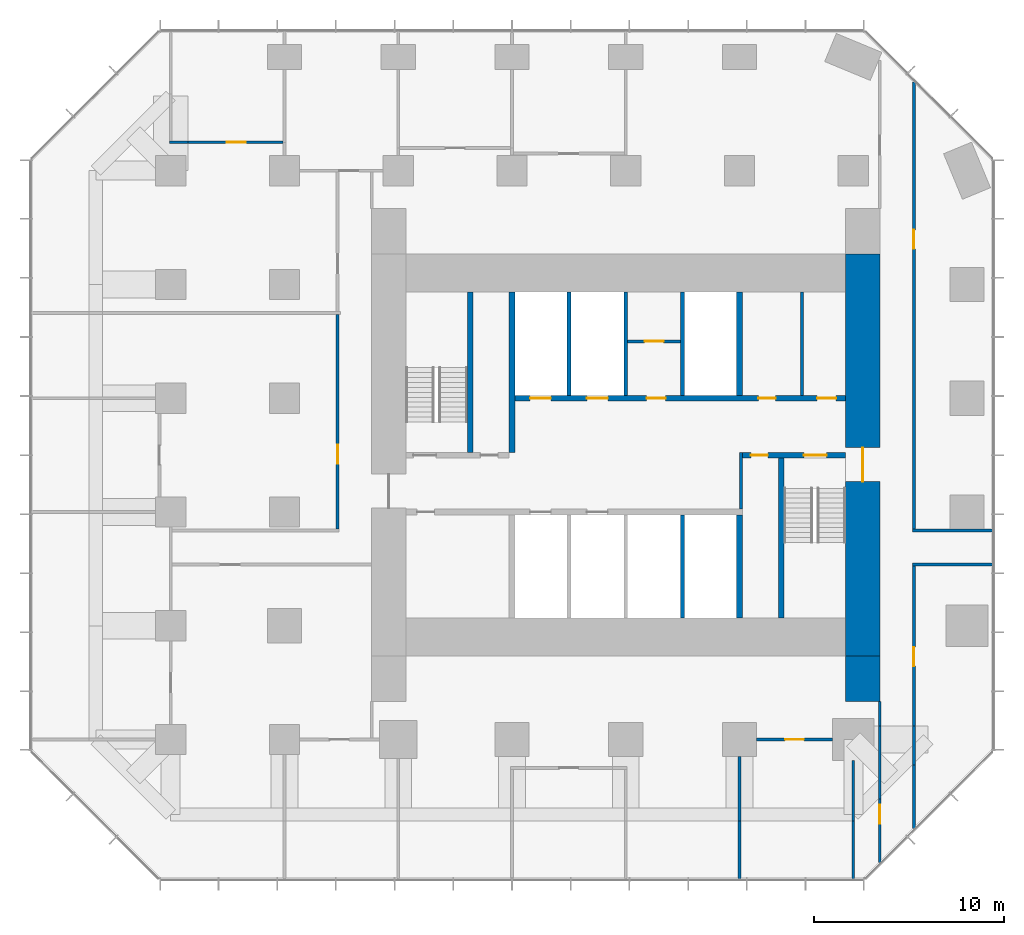
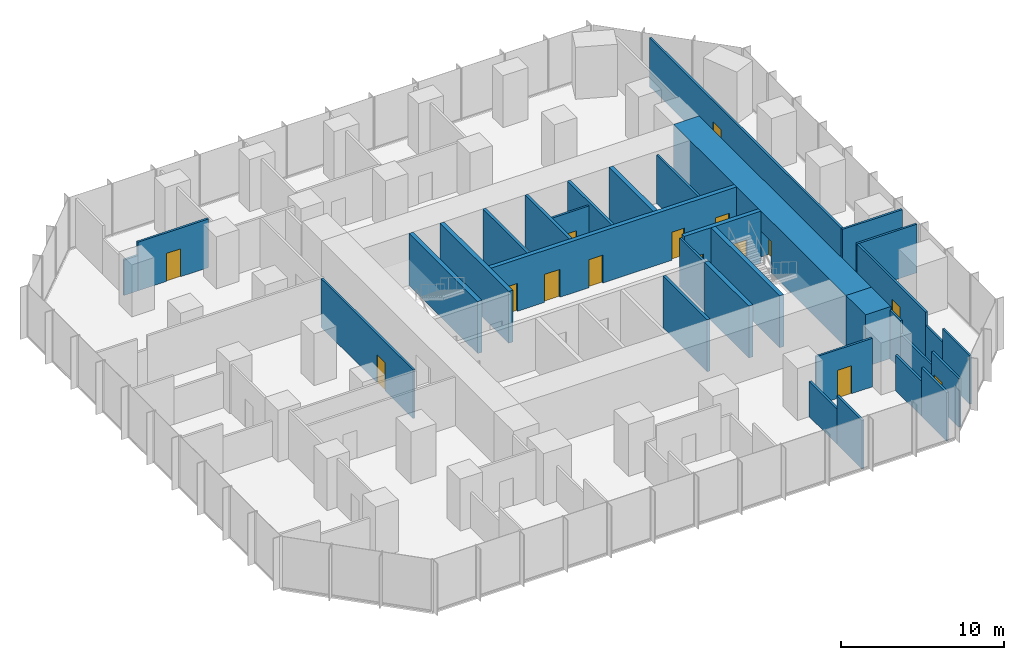
# One storey, part 9 of 11: 33 walls, 15 doors, 15 openings.
"""IFC4 building model written with IfcOpenShell, lengths in metres."""

import ifcopenshell
import ifcopenshell.guid

model = None  # the IFC model being written
_history = None  # IfcOwnerHistory: only IFC2X3 demands one
_inside = {}  # id of a spatial element -> (the spatial element, [elements in it])
_under = {}  # id of a project, library or spatial element -> (it, [spatial elements below it])
_declared = {}  # id of a project -> (the project, [libraries it declares])
_typed = {}  # id of a type object -> (the type object, [elements of that type])
_made_of = {}  # id of a material, layer set ... -> (it, [elements and type objects made of it])


def new_model(schema):
    """Start an empty IFC model of exactly this schema.

    Asked for "IFC4X3", IfcOpenShell would pick the latest addendum, in which some entities
    have other attributes; the version numbers below select the first issue.
    IFC2X3 requires an IfcOwnerHistory on every rooted entity: one is made here for all.
    """
    global model, _history
    if schema == "IFC4X3":
        model = ifcopenshell.file(schema_version=(4, 3, 0, 0))
    else:
        model = ifcopenshell.file(schema=schema)
    _inside.clear()
    _under.clear()
    _declared.clear()
    _typed.clear()
    _made_of.clear()
    _history = None
    if model.schema == "IFC2X3":
        org = make("IfcOrganization", Name="unknown")
        user = make(
            "IfcPersonAndOrganization",
            ThePerson=make("IfcPerson", FamilyName="unknown"),
            TheOrganization=org,
        )
        app = make(
            "IfcApplication",
            ApplicationDeveloper=org,
            Version="unknown",
            ApplicationFullName="unknown",
            ApplicationIdentifier="unknown",
        )
        _history = make(
            "IfcOwnerHistory",
            OwningUser=user,
            OwningApplication=app,
            ChangeAction="ADDED",
            CreationDate=0,
        )
    return model


def make(cls, **values):
    """One entity of the class cls with the attributes given. An attribute that is None is left unset."""
    return model.create_entity(
        cls, **{name: value for name, value in values.items() if value is not None}
    )


def rooted(cls, **values):
    """An entity with a GlobalId (a new one), such as an element, a storey or a relation."""
    return make(cls, GlobalId=ifcopenshell.guid.new(), OwnerHistory=_history, **values)


def si_unit(unit_type, name, prefix=None):
    """IfcSIUnit, for example si_unit("LENGTHUNIT", "METRE", prefix="MILLI")."""
    return make("IfcSIUnit", UnitType=unit_type, Prefix=prefix, Name=name)


def assignment(units):
    """IfcUnitAssignment: the units of a project."""
    return None if units is None else make("IfcUnitAssignment", Units=units)


def point(xyz):
    """IfcCartesianPoint."""
    return None if xyz is None else make("IfcCartesianPoint", Coordinates=xyz)


def direction(xyz):
    """IfcDirection."""
    return None if xyz is None else make("IfcDirection", DirectionRatios=xyz)


def frame(location, z_axis=None, x_axis=None):
    """IfcAxis2Placement3D, a coordinate frame: its origin and axes. An axis left out is left unset."""
    return make(
        "IfcAxis2Placement3D",
        Location=point(location),
        Axis=direction(z_axis),
        RefDirection=direction(x_axis),
    )


def frame_2d(location, x_axis=None):
    """IfcAxis2Placement2D, a coordinate frame in the plane: its origin and x axis."""
    return make(
        "IfcAxis2Placement2D", Location=point(location), RefDirection=direction(x_axis)
    )


def origin():
    """The frame at (0, 0, 0) with its axes left unset."""
    return frame((0.0, 0.0, 0.0))


def place(relative_to, where):
    """IfcLocalPlacement: puts the frame where relative to a parent placement (None: the world)."""
    return make(
        "IfcLocalPlacement", PlacementRelTo=relative_to, RelativePlacement=where
    )


def context(
    kind, dimensions, precision=None, world=None, true_north=None, identifier=None
):
    """IfcGeometricRepresentationContext, for example the 3D "Model" context."""
    return make(
        "IfcGeometricRepresentationContext",
        ContextIdentifier=identifier,
        ContextType=kind,
        CoordinateSpaceDimension=dimensions,
        Precision=precision,
        WorldCoordinateSystem=world,
        TrueNorth=true_north,
    )


def subcontext(parent, identifier, kind, view, scale=None):
    """IfcGeometricRepresentationSubContext, for example "Body" below "Model"."""
    return make(
        "IfcGeometricRepresentationSubContext",
        ContextIdentifier=identifier,
        ContextType=kind,
        ParentContext=parent,
        TargetScale=scale,
        TargetView=view,
    )


def project(units=None, contexts=None):
    """IfcProject with its units and contexts."""
    return rooted(
        "IfcProject",
        Name="project",
        RepresentationContexts=contexts,
        UnitsInContext=assignment(units),
    )


def spatial(cls, under=None, at=None, **own):
    """A site, building, storey or space (cls), placed at a placement, below another one or the project."""
    s = rooted(cls, ObjectPlacement=at, **own)
    if under is not None:
        _under.setdefault(under.id(), (under, []))[1].append(s)
    return s


def profile(cls, at=None, kind="AREA", **sizes):
    """A parametric profile (cls). Its sizes go by their IFC names, for example OverallWidth=200.0."""
    return make(cls, ProfileType=kind, Position=at, **sizes)


def rectangle(**sizes):
    """IfcRectangleProfileDef."""
    return profile("IfcRectangleProfileDef", **sizes)


def extrude(swept, where, along, depth):
    """IfcExtrudedAreaSolid: the profile swept, set in the frame where, extruded along a direction by depth."""
    return make(
        "IfcExtrudedAreaSolid",
        SweptArea=swept,
        Position=where,
        ExtrudedDirection=direction(along),
        Depth=depth,
    )


def shape(context_of_items, identifier, shape_type, items):
    """IfcShapeRepresentation: the items that make up one representation, for example the "Body"."""
    return make(
        "IfcShapeRepresentation",
        ContextOfItems=context_of_items,
        RepresentationIdentifier=identifier,
        RepresentationType=shape_type,
        Items=items,
    )


def material(Name=None, Category=None):
    """IfcMaterial."""
    return make("IfcMaterial", Name=Name, Category=Category)


def layer(
    of_material, thickness, ventilated=None, Name=None, Category=None, Priority=None
):
    """IfcMaterialLayer: one layer of a wall or slab, of a material (None: an air gap)."""
    return make(
        "IfcMaterialLayer",
        Material=of_material,
        LayerThickness=thickness,
        IsVentilated=ventilated,
        Name=Name,
        Category=Category,
        Priority=Priority,
    )


def layer_set(layers, Name=None):
    """IfcMaterialLayerSet."""
    return make("IfcMaterialLayerSet", MaterialLayers=layers, LayerSetName=Name)


def made_of(thing, what):
    """Note that an element or type object is made of a material, layer set ...; save() writes the relation."""
    if what is not None:
        _made_of.setdefault(what.id(), (what, []))[1].append(thing)
    return thing


def type_object(cls, material=None, **own):
    """A type object (cls), such as IfcWallType, which elements share."""
    return made_of(rooted(cls, **own), material)


def element(
    cls,
    number,
    at=None,
    inside=None,
    cuts=None,
    type_object=None,
    material=None,
    context=None,
    identifier="Body",
    shape_type=None,
    held_by="IfcProductDefinitionShape",
    body=None,
    shapes=None,
    **own,
):
    """One element of the class cls, such as IfcWall. Its Tag is "e" and its number.

    at: its placement. inside: the storey or other place that contains it. cuts: it is an
    opening in that element (IfcRelVoidsElement). A single representation is given by context,
    identifier, shape_type and body (its items); several are given by shapes. held_by: the class
    of the entity that holds the representations. save() writes the other relations.
    """
    e = rooted(cls, Tag="e%d" % number, ObjectPlacement=at, **own)
    if body is not None:
        shapes = [shape(context, identifier, shape_type, body)]
    if shapes is not None:
        e.Representation = make(held_by, Representations=shapes)
    if inside is not None:
        _inside.setdefault(inside.id(), (inside, []))[1].append(e)
    if cuts is not None:
        rooted(
            "IfcRelVoidsElement", RelatingBuildingElement=cuts, RelatedOpeningElement=e
        )
    if type_object is not None:
        _typed.setdefault(type_object.id(), (type_object, []))[1].append(e)
    return made_of(e, material)


def fill(opening, filler):
    """IfcRelFillsElement: the door or window that sits in an opening."""
    return rooted(
        "IfcRelFillsElement",
        RelatingOpeningElement=opening,
        RelatedBuildingElement=filler,
    )


def aggregate(whole, parts):
    """IfcRelAggregates: a whole, such as a stair, and the parts it consists of."""
    return rooted("IfcRelAggregates", RelatingObject=whole, RelatedObjects=parts)


def save(model, path):
    """Write the relations noted so far, then the file.

    IfcRelAggregates (storeys below a building ...), IfcRelContainedInSpatialStructure (elements
    in a storey), IfcRelDefinesByType, IfcRelAssociatesMaterial and IfcRelDeclares: one each for
    every whole, place, type object, material and project.
    """
    for whole, parts in _under.values():
        aggregate(whole, parts)
    for where, things in _inside.values():
        rooted(
            "IfcRelContainedInSpatialStructure",
            RelatedElements=things,
            RelatingStructure=where,
        )
    for kind, things in _typed.values():
        rooted("IfcRelDefinesByType", RelatedObjects=things, RelatingType=kind)
    for what, things in _made_of.values():
        rooted("IfcRelAssociatesMaterial", RelatedObjects=things, RelatingMaterial=what)
    for by, libraries in _declared.values():
        rooted("IfcRelDeclares", RelatingContext=by, RelatedDefinitions=libraries)
    model.write(path)


model = new_model("IFC4")

# Units and contexts
model_context = context("Model", 3, precision=1e-05, world=origin(), true_north=direction((0.0, 1.0)))
body_context = subcontext(model_context, "Body", "Model", "MODEL_VIEW")
ifc_project = project(units=[si_unit("LENGTHUNIT", "METRE"), si_unit("AREAUNIT", "SQUARE_METRE"), si_unit("VOLUMEUNIT", "CUBIC_METRE"), si_unit("PLANEANGLEUNIT", "RADIAN"), si_unit("MASSUNIT", "GRAM", prefix="KILO")], contexts=[model_context])

# Site, building, storey
site_placement = place(None, origin())
site = spatial("IfcSite", under=ifc_project, at=site_placement, CompositionType="ELEMENT")
building_placement = place(site_placement, origin())
building = spatial("IfcBuilding", under=site, at=building_placement, Name="Highveld Stack Headquarters", CompositionType="ELEMENT")
storey_placement = place(building_placement, frame((0.0, 0.0, 128.89990234375)))
storey = spatial("IfcBuildingStorey", under=building, at=storey_placement, Name="L31", CompositionType="ELEMENT", Elevation=128.89990234375)

# Wall, opening, door
ifc_material_1 = material(Name="Concrete C60/75", Category="concrete")
ifc_layer_1 = layer(ifc_material_1, 1.800048828125)
ifc_layer_set_1 = layer_set([ifc_layer_1], Name="Concrete C60/75")
wall_type_1 = type_object("IfcWallType", Name="CORE WALL 1800 C60/75", PredefinedType="SHEAR", material=ifc_layer_set_1)
wall_1_placement = place(storey_placement, frame((18.5, -7.60009765625, 0.0), z_axis=(0.0, 0.0, 1.0), x_axis=(0.0, 1.0, 0.0)))
wall_1 = element("IfcWall", 1, at=wall_1_placement, inside=storey, type_object=wall_type_1, Name="Core wall E L31", PredefinedType="SHEAR", context=body_context, shape_type="SweptSolid", body=[
    extrude(rectangle(XDim=21.2001953125, YDim=1.800048828125, at=frame_2d((10.60009765625, 0.0))), origin(), (0.0, 0.0, 1.0), 3.900146484375),
])
opening_1_placement = place(wall_1_placement, frame((9.199951171875, 0.0, 0.0)))
opening_1 = element("IfcOpeningElement", 2, at=opening_1_placement, cuts=wall_1, Name="Opening L31-02", PredefinedType="OPENING", context=body_context, shape_type="SweptSolid", body=[
    extrude(rectangle(XDim=1.800048828125, YDim=2.39990234375, at=frame_2d((0.89990234375, 1.199951171875))), frame((0.0, 0.909912109375, 0.0), z_axis=(0.0, -1.0, 0.0), x_axis=(1.0, 0.0, 0.0)), (0.0, 0.0, 1.0), 1.820068359375),
])
ifc_material_2 = material(Name="Steel fire door", Category="steel")
door_type_1 = type_object("IfcDoorType", Name="LOBBY FIRE DOOR D4 1800x2400", OperationType="DOUBLE_DOOR_SINGLE_SWING", PredefinedType="DOOR", material=ifc_material_2)
door_1_placement = place(opening_1_placement, origin())
door_1 = element("IfcDoor", 3, at=door_1_placement, inside=storey, type_object=door_type_1, Name="Core east door L31", OperationType="DOUBLE_DOOR_SINGLE_SWING", OverallHeight=2.39990234375, OverallWidth=1.800048828125, PredefinedType="DOOR", context=body_context, shape_type="SweptSolid", body=[
    extrude(rectangle(XDim=1.800048828125, YDim=2.39990234375, at=frame_2d((0.89990234375, 1.199951171875))), frame((0.0, 0.02490234375, 0.0), z_axis=(0.0, -1.0, 0.0), x_axis=(1.0, 0.0, 0.0)), (0.0, 0.0, 1.0), 0.050048828125),
])
fill(opening_1, door_1)

# Wall, openings, doors
ifc_material_3 = material(Name="Concrete C60/75", Category="concrete")
ifc_layer_2 = layer(ifc_material_3, 0.300048828125)
ifc_layer_set_2 = layer_set([ifc_layer_2], Name="Concrete C60/75")
wall_type_2 = type_object("IfcWallType", Name="CORE WALL 300 C60/75", PredefinedType="SHEAR", material=ifc_layer_set_2)
wall_2_placement = place(storey_placement, frame((12.14990234375, 3.0, 0.0), z_axis=(0.0, 0.0, 1.0), x_axis=(1.0, 0.0, 0.0)))
wall_2 = element("IfcWall", 4, at=wall_2_placement, inside=storey, type_object=wall_type_2, Name="Core wall I-Y3E L31", PredefinedType="SHEAR", context=body_context, shape_type="SweptSolid", body=[
    extrude(rectangle(XDim=5.4501953125, YDim=0.300048828125, at=frame_2d((2.72509765625, 0.0))), origin(), (0.0, 0.0, 1.0), 3.900146484375),
])
opening_2_placement = place(wall_2_placement, frame((3.25, 0.0, 0.0)))
opening_2 = element("IfcOpeningElement", 5, at=opening_2_placement, cuts=wall_2, Name="Opening L31-05", PredefinedType="OPENING", context=body_context, shape_type="SweptSolid", body=[
    extrude(rectangle(XDim=1.199951171875, YDim=2.10009765625, at=frame_2d((0.60009765625, 1.050048828125))), frame((0.0, 0.159912109375, 0.0), z_axis=(0.0, -1.0, 0.0), x_axis=(1.0, 0.0, 0.0)), (0.0, 0.0, 1.0), 0.320068359375),
])
opening_3_placement = place(wall_2_placement, frame((0.449951171875, 0.0, 0.0)))
opening_3 = element("IfcOpeningElement", 6, at=opening_3_placement, cuts=wall_2, Name="Opening L31-06", PredefinedType="OPENING", context=body_context, shape_type="SweptSolid", body=[
    extrude(rectangle(XDim=0.89990234375, YDim=2.10009765625, at=frame_2d((0.449951171875, 1.050048828125))), frame((0.0, 0.159912109375, 0.0), z_axis=(0.0, -1.0, 0.0), x_axis=(1.0, 0.0, 0.0)), (0.0, 0.0, 1.0), 0.320068359375),
])
ifc_material_4 = material(Name="Steel fire door", Category="steel")
door_type_2 = type_object("IfcDoorType", Name="RISER ACCESS DOOR D5 900x2100", OperationType="SINGLE_SWING_LEFT", PredefinedType="DOOR", material=ifc_material_4)
door_2_placement = place(opening_3_placement, origin())
door_2 = element("IfcDoor", 7, at=door_2_placement, inside=storey, type_object=door_type_2, Name="Riser R2 door L31", OperationType="SINGLE_SWING_LEFT", OverallHeight=2.10009765625, OverallWidth=0.89990234375, PredefinedType="DOOR", context=body_context, shape_type="SweptSolid", body=[
    extrude(rectangle(XDim=0.89990234375, YDim=2.10009765625, at=frame_2d((0.449951171875, 1.050048828125))), frame((0.0, 0.02490234375, 0.0), z_axis=(0.0, -1.0, 0.0), x_axis=(1.0, 0.0, 0.0)), (0.0, 0.0, 1.0), 0.050048828125),
])
fill(opening_3, door_2)
ifc_material_5 = material(Name="Steel fire door", Category="steel")
door_type_3 = type_object("IfcDoorType", Name="STAIR FIRE DOOR D3 1200x2100", OperationType="SINGLE_SWING_LEFT", PredefinedType="DOOR", material=ifc_material_5)
door_3_placement = place(opening_2_placement, origin())
door_3 = element("IfcDoor", 8, at=door_3_placement, inside=storey, type_object=door_type_3, Name="Stair S2 door L31", OperationType="SINGLE_SWING_RIGHT", OverallHeight=2.10009765625, OverallWidth=1.199951171875, PredefinedType="DOOR", context=body_context, shape_type="SweptSolid", body=[
    extrude(rectangle(XDim=1.199951171875, YDim=2.10009765625, at=frame_2d((0.60009765625, 1.050048828125))), frame((0.0, 0.02490234375, 0.0), z_axis=(0.0, -1.0, 0.0), x_axis=(1.0, 0.0, 0.0)), (0.0, 0.0, 1.0), 0.050048828125),
])
fill(opening_2, door_3)

wall_3_placement = place(storey_placement, frame((-0.14990234375, 6.0, 0.0), z_axis=(0.0, 0.0, 1.0), x_axis=(1.0, 0.0, 0.0)))
wall_3 = element("IfcWall", 9, at=wall_3_placement, inside=storey, type_object=wall_type_2, Name="Core wall I-Y6 L31", PredefinedType="SHEAR", context=body_context, shape_type="SweptSolid", body=[
    extrude(rectangle(XDim=17.75, YDim=0.300048828125, at=frame_2d((8.875, 0.0))), origin(), (0.0, 0.0, 1.0), 3.900146484375),
])
opening_4_placement = place(wall_3_placement, frame((13.14990234375, 0.0, 0.0)))
opening_4 = element("IfcOpeningElement", 10, at=opening_4_placement, cuts=wall_3, Name="Opening L31-08", PredefinedType="OPENING", context=body_context, shape_type="SweptSolid", body=[
    extrude(rectangle(XDim=0.89990234375, YDim=2.10009765625, at=frame_2d((0.449951171875, 1.050048828125))), frame((0.0, 0.159912109375, 0.0), z_axis=(0.0, -1.0, 0.0), x_axis=(1.0, 0.0, 0.0)), (0.0, 0.0, 1.0), 0.320068359375),
])
opening_5_placement = place(wall_3_placement, frame((16.25, 0.0, 0.0)))
opening_5 = element("IfcOpeningElement", 11, at=opening_5_placement, cuts=wall_3, Name="Opening L31-09", PredefinedType="OPENING", context=body_context, shape_type="SweptSolid", body=[
    extrude(rectangle(XDim=1.0, YDim=2.10009765625, at=frame_2d((0.5, 1.050048828125))), frame((0.0, 0.159912109375, 0.0), z_axis=(0.0, -1.0, 0.0), x_axis=(1.0, 0.0, 0.0)), (0.0, 0.0, 1.0), 0.320068359375),
])
opening_6_placement = place(wall_3_placement, frame((7.25, 0.0, 0.0)))
opening_6 = element("IfcOpeningElement", 12, at=opening_6_placement, cuts=wall_3, Name="Opening L31-11", PredefinedType="OPENING", context=body_context, shape_type="SweptSolid", body=[
    extrude(rectangle(XDim=1.0, YDim=2.10009765625, at=frame_2d((0.5, 1.050048828125))), frame((0.0, 0.159912109375, 0.0), z_axis=(0.0, -1.0, 0.0), x_axis=(1.0, 0.0, 0.0)), (0.0, 0.0, 1.0), 0.320068359375),
])
opening_7_placement = place(wall_3_placement, frame((1.10009765625, 0.0, 0.0)))
opening_7 = element("IfcOpeningElement", 13, at=opening_7_placement, cuts=wall_3, Name="Opening LD", PredefinedType="OPENING", context=body_context, shape_type="SweptSolid", body=[
    extrude(rectangle(XDim=1.10009765625, YDim=2.10009765625, at=frame_2d((0.550048828125, 1.050048828125))), frame((0.0, 0.159912109375, 0.0), z_axis=(0.0, -1.0, 0.0), x_axis=(1.0, 0.0, 0.0)), (0.0, 0.0, 1.0), 0.320068359375),
])
opening_8_placement = place(wall_3_placement, frame((4.10009765625, 0.0, 0.0)))
opening_8 = element("IfcOpeningElement", 14, at=opening_8_placement, cuts=wall_3, Name="Opening LD", PredefinedType="OPENING", context=body_context, shape_type="SweptSolid", body=[
    extrude(rectangle(XDim=1.10009765625, YDim=2.10009765625, at=frame_2d((0.550048828125, 1.050048828125))), frame((0.0, 0.159912109375, 0.0), z_axis=(0.0, -1.0, 0.0), x_axis=(1.0, 0.0, 0.0)), (0.0, 0.0, 1.0), 0.320068359375),
])
ifc_material_6 = material(Name="Timber door, painted", Category="wood")
door_type_4 = type_object("IfcDoorType", Name="ACCESSIBLE WC DOOR D2 1000x2100", OperationType="SINGLE_SWING_RIGHT", PredefinedType="DOOR", material=ifc_material_6)
door_4_placement = place(opening_5_placement, origin())
door_4 = element("IfcDoor", 15, at=door_4_placement, inside=storey, type_object=door_type_4, Name="Accessible WC door L31", OperationType="SINGLE_SWING_RIGHT", OverallHeight=2.10009765625, OverallWidth=1.0, PredefinedType="DOOR", context=body_context, shape_type="SweptSolid", body=[
    extrude(rectangle(XDim=1.0, YDim=2.10009765625, at=frame_2d((0.5, 1.050048828125))), frame((0.0, 0.02490234375, 0.0), z_axis=(0.0, -1.0, 0.0), x_axis=(1.0, 0.0, 0.0)), (0.0, 0.0, 1.0), 0.050048828125),
])
fill(opening_5, door_4)
ifc_material_7 = material(Name="Steel fire door", Category="steel")
door_type_5 = type_object("IfcDoorType", Name="CORE ROOM FIRE DOOR D14 1000x2100", OperationType="SINGLE_SWING_LEFT", PredefinedType="DOOR", material=ifc_material_7)
door_5_placement = place(opening_6_placement, origin())
door_5 = element("IfcDoor", 16, at=door_5_placement, inside=storey, type_object=door_type_5, Name="Capped A 1 door L31", OperationType="SINGLE_SWING_LEFT", OverallHeight=2.10009765625, OverallWidth=1.0, PredefinedType="DOOR", context=body_context, shape_type="SweptSolid", body=[
    extrude(rectangle(XDim=1.0, YDim=2.10009765625, at=frame_2d((0.5, 1.050048828125))), frame((0.0, 0.02490234375, 0.0), z_axis=(0.0, -1.0, 0.0), x_axis=(1.0, 0.0, 0.0)), (0.0, 0.0, 1.0), 0.050048828125),
])
fill(opening_6, door_5)
ifc_material_8 = material(Name="Stainless steel lift landing door", Category="steel")
door_type_6 = type_object("IfcDoorType", Name="LIFT LANDING DOOR LD 1100x2100", OperationType="DOUBLE_DOOR_SLIDING", PredefinedType="USERDEFINED", material=ifc_material_8)
door_6_placement = place(opening_7_placement, origin())
door_6 = element("IfcDoor", 17, at=door_6_placement, inside=storey, type_object=door_type_6, Name="Lift landing door FF1 L31", ObjectType="LIFT LANDING DOOR", OperationType="DOUBLE_DOOR_SLIDING", OverallHeight=2.10009765625, OverallWidth=1.10009765625, PredefinedType="USERDEFINED", context=body_context, shape_type="SweptSolid", body=[
    extrude(rectangle(XDim=1.10009765625, YDim=2.10009765625, at=frame_2d((0.550048828125, 1.050048828125))), frame((0.0, 0.02490234375, 0.0), z_axis=(0.0, -1.0, 0.0), x_axis=(1.0, 0.0, 0.0)), (0.0, 0.0, 1.0), 0.050048828125),
])
fill(opening_7, door_6)
door_7_placement = place(opening_8_placement, origin())
door_7 = element("IfcDoor", 18, at=door_7_placement, inside=storey, type_object=door_type_6, Name="Lift landing door FF2 L31", ObjectType="LIFT LANDING DOOR", OperationType="DOUBLE_DOOR_SLIDING", OverallHeight=2.10009765625, OverallWidth=1.10009765625, PredefinedType="USERDEFINED", context=body_context, shape_type="SweptSolid", body=[
    extrude(rectangle(XDim=1.10009765625, YDim=2.10009765625, at=frame_2d((0.550048828125, 1.050048828125))), frame((0.0, 0.02490234375, 0.0), z_axis=(0.0, -1.0, 0.0), x_axis=(1.0, 0.0, 0.0)), (0.0, 0.0, 1.0), 0.050048828125),
])
fill(opening_8, door_7)
ifc_material_9 = material(Name="Timber door, painted", Category="wood")
door_type_7 = type_object("IfcDoorType", Name="WC DOOR D1 900x2100", OperationType="SINGLE_SWING_LEFT", PredefinedType="DOOR", material=ifc_material_9)
door_8_placement = place(opening_4_placement, origin())
door_8 = element("IfcDoor", 19, at=door_8_placement, inside=storey, type_object=door_type_7, Name="Male WC door L31", OperationType="SINGLE_SWING_RIGHT", OverallHeight=2.10009765625, OverallWidth=0.89990234375, PredefinedType="DOOR", context=body_context, shape_type="SweptSolid", body=[
    extrude(rectangle(XDim=0.89990234375, YDim=2.10009765625, at=frame_2d((0.449951171875, 1.050048828125))), frame((0.0, 0.02490234375, 0.0), z_axis=(0.0, -1.0, 0.0), x_axis=(1.0, 0.0, 0.0)), (0.0, 0.0, 1.0), 0.050048828125),
])
fill(opening_4, door_8)

# Walls
wall_4_placement = place(storey_placement, frame((0.0, 3.14990234375, 0.0), z_axis=(0.0, 0.0, 1.0), x_axis=(0.0, 1.0, 0.0)))
element("IfcWall", 20, at=wall_4_placement, inside=storey, type_object=wall_type_2, Name="Core wall I-X0N L31", PredefinedType="SHEAR", context=body_context, shape_type="SweptSolid", body=[
    extrude(rectangle(XDim=8.4501953125, YDim=0.300048828125, at=frame_2d((4.22509765625, 0.0))), origin(), (0.0, 0.0, 1.0), 3.900146484375),
])
for number, where, z_axis, x_axis, name in (
    (21, (12.0, -5.60009765625, 0.0), (0.0, 0.0, 1.0), (0.0, 1.0, 0.0), "Core wall I-X12S L31"),
    (22, (12.0, 6.14990234375, 0.0), (0.0, 0.0, 1.0), (0.0, 1.0, 0.0), "Core wall I-X12N L31"),
):
    element("IfcWall", number, at=place(storey_placement, frame(where, z_axis=z_axis, x_axis=x_axis)), inside=storey, type_object=wall_type_2, Name=name, PredefinedType="SHEAR", context=body_context, shape_type="SweptSolid", body=[
        extrude(rectangle(XDim=5.4501953125, YDim=0.300048828125, at=frame_2d((2.72509765625, 0.0))), origin(), (0.0, 0.0, 1.0), 3.900146484375),
    ])
for number, where, z_axis, x_axis, name in (
    (23, (-2.199951171875, 3.14990234375, 0.0), (0.0, 0.0, 1.0), (0.0, 1.0, 0.0), "Core wall I-RW L31"),
    (24, (14.199951171875, -5.60009765625, 0.0), (0.0, 0.0, 1.0), (0.0, 1.0, 0.0), "Core wall I-RE L31"),
):
    element("IfcWall", number, at=place(storey_placement, frame(where, z_axis=z_axis, x_axis=x_axis)), inside=storey, type_object=wall_type_2, Name=name, PredefinedType="SHEAR", context=body_context, shape_type="SweptSolid", body=[
        extrude(rectangle(XDim=8.4501953125, YDim=0.300048828125, at=frame_2d((4.22509765625, 0.0))), origin(), (0.0, 0.0, 1.0), 3.900146484375),
    ])
ifc_material_10 = material(Name="Concrete C60/75", Category="concrete")
ifc_layer_3 = layer(ifc_material_10, 1.800048828125)
ifc_layer_set_3 = layer_set([ifc_layer_3], Name="Concrete C60/75")
wall_type_3 = type_object("IfcWallType", Name="CORE WING WALL 1800 C60/75", PredefinedType="SHEAR", material=ifc_layer_set_3)
wall_5_placement = place(storey_placement, frame((18.5, -10.0, 0.0), z_axis=(0.0, 0.0, 1.0), x_axis=(0.0, 1.0, 0.0)))
element("IfcWall", 25, at=wall_5_placement, inside=storey, type_object=wall_type_3, Name="Core wing wall ES L31", PredefinedType="SHEAR", context=body_context, shape_type="SweptSolid", body=[
    extrude(rectangle(XDim=2.39990234375, YDim=1.800048828125, at=frame_2d((1.199951171875, 0.0))), origin(), (0.0, 0.0, 1.0), 3.900146484375),
])

# Wall, opening, door
ifc_material_11 = material(Name="Concrete blockwork, plastered", Category="masonry")
ifc_layer_4 = layer(ifc_material_11, 0.14990234375)
ifc_layer_set_4 = layer_set([ifc_layer_4], Name="Concrete blockwork, plastered")
wall_type_4 = type_object("IfcWallType", Name="FIRE PARTITION 150 BLOCKWORK", PredefinedType="PARTITIONING", material=ifc_layer_set_4)
wall_6_placement = place(storey_placement, frame((6.10009765625, 9.0, 0.0), z_axis=(0.0, 0.0, 1.0), x_axis=(1.0, 0.0, 0.0)))
wall_6 = element("IfcWall", 26, at=wall_6_placement, inside=storey, type_object=wall_type_4, Name="Core room partition L31", PredefinedType="PARTITIONING", context=body_context, shape_type="SweptSolid", body=[
    extrude(rectangle(XDim=2.7998046875, YDim=0.14990234375, at=frame_2d((1.39990234375, 0.0))), origin(), (0.0, 0.0, 1.0), 3.650146484375),
])
opening_9_placement = place(wall_6_placement, frame((0.89990234375, 0.0, 0.0)))
opening_9 = element("IfcOpeningElement", 27, at=opening_9_placement, cuts=wall_6, Name="Opening L31-10", PredefinedType="OPENING", context=body_context, shape_type="SweptSolid", body=[
    extrude(rectangle(XDim=1.0, YDim=2.10009765625, at=frame_2d((0.5, 1.050048828125))), frame((0.0, 0.0849609375, 0.0), z_axis=(0.0, -1.0, 0.0), x_axis=(1.0, 0.0, 0.0)), (0.0, 0.0, 1.0), 0.169921875),
])
door_9_placement = place(opening_9_placement, origin())
door_9 = element("IfcDoor", 28, at=door_9_placement, inside=storey, type_object=door_type_5, Name="Capped A 2 door L31", OperationType="SINGLE_SWING_RIGHT", OverallHeight=2.10009765625, OverallWidth=1.0, PredefinedType="DOOR", context=body_context, shape_type="SweptSolid", body=[
    extrude(rectangle(XDim=1.0, YDim=2.10009765625, at=frame_2d((0.5, 1.050048828125))), frame((0.0, 0.02490234375, 0.0), z_axis=(0.0, -1.0, 0.0), x_axis=(1.0, 0.0, 0.0)), (0.0, 0.0, 1.0), 0.050048828125),
])
fill(opening_9, door_9)

# Wall
wall_7_placement = place(storey_placement, frame((12.074951171875, 0.14990234375, 0.0), z_axis=(0.0, 0.0, 1.0), x_axis=(0.0, 1.0, 0.0)))
element("IfcWall", 29, at=wall_7_placement, inside=storey, type_object=wall_type_4, Name="Riser R2 enclosure L31", PredefinedType="PARTITIONING", context=body_context, shape_type="SweptSolid", body=[
    extrude(rectangle(XDim=3.0, YDim=0.14990234375, at=frame_2d((1.5, 0.0))), origin(), (0.0, 0.0, 1.0), 3.650146484375),
])

# Wall, opening, door
ifc_material_12 = material(Name="Laminated glass in aluminium frame", Category="aluminium")
ifc_layer_5 = layer(ifc_material_12, 0.14990234375)
ifc_layer_set_5 = layer_set([ifc_layer_5], Name="Laminated glass in aluminium frame")
wall_type_5 = type_object("IfcWallType", Name="GLAZED PARTITION 150", PredefinedType="PARTITIONING", material=ifc_layer_set_5)
wall_8_placement = place(storey_placement, frame((12.89990234375, -12.0, 0.0), z_axis=(0.0, 0.0, 1.0), x_axis=(1.0, 0.0, 0.0)))
wall_8 = element("IfcWall", 30, at=wall_8_placement, inside=storey, type_object=wall_type_5, Name="Glazed partition Meeting room L31", PredefinedType="PARTITIONING", context=body_context, shape_type="SweptSolid", body=[
    extrude(rectangle(XDim=4.0, YDim=0.14990234375, at=frame_2d((2.0, 0.0))), origin(), (0.0, 0.0, 1.0), 3.650146484375),
])
opening_10_placement = place(wall_8_placement, frame((1.5, 0.0, 0.0)))
opening_10 = element("IfcOpeningElement", 31, at=opening_10_placement, cuts=wall_8, Name="Opening L31-14", PredefinedType="OPENING", context=body_context, shape_type="SweptSolid", body=[
    extrude(rectangle(XDim=1.0, YDim=2.10009765625, at=frame_2d((0.5, 1.050048828125))), frame((0.0, 0.0849609375, 0.0), z_axis=(0.0, -1.0, 0.0), x_axis=(1.0, 0.0, 0.0)), (0.0, 0.0, 1.0), 0.169921875),
])
ifc_material_13 = material(Name="Timber door, oiled ash", Category="wood")
door_type_8 = type_object("IfcDoorType", Name="ROOM DOOR D6 1000x2100", OperationType="SINGLE_SWING_LEFT", PredefinedType="DOOR", material=ifc_material_13)
door_10_placement = place(opening_10_placement, origin())
door_10 = element("IfcDoor", 32, at=door_10_placement, inside=storey, type_object=door_type_8, Name="Meeting room door 1 L31", OperationType="SINGLE_SWING_LEFT", OverallHeight=2.10009765625, OverallWidth=1.0, PredefinedType="DOOR", context=body_context, shape_type="SweptSolid", body=[
    extrude(rectangle(XDim=1.0, YDim=2.10009765625, at=frame_2d((0.5, 1.050048828125))), frame((0.0, 0.02490234375, 0.0), z_axis=(0.0, -1.0, 0.0), x_axis=(1.0, 0.0, 0.0)), (0.0, 0.0, 1.0), 0.050048828125),
])
fill(opening_10, door_10)

# Walls
ifc_material_14 = material(Name="Concrete blockwork, fair-faced", Category="masonry")
ifc_layer_6 = layer(ifc_material_14, 0.199951171875)
ifc_layer_set_6 = layer_set([ifc_layer_6], Name="Concrete blockwork, fair-faced")
wall_type_6 = type_object("IfcWallType", Name="LIFT SHAFT ENCLOSURE WALL 200 BLOCKWORK", PredefinedType="SOLIDWALL", material=ifc_layer_set_6)
for number, where, z_axis, x_axis, name in (
    (33, (3.0, 6.14990234375, 0.0), (0.0, 0.0, 1.0), (0.0, 1.0, 0.0), "Lift shaft wall L31"),
    (34, (6.0, 6.14990234375, 0.0), (0.0, 0.0, 1.0), (0.0, 1.0, 0.0), "Lift shaft wall L31"),
    (35, (9.0, 6.14990234375, 0.0), (0.0, 0.0, 1.0), (0.0, 1.0, 0.0), "Lift shaft wall L31"),
    (36, (9.0, -5.60009765625, 0.0), (0.0, 0.0, 1.0), (0.0, 1.0, 0.0), "Lift shaft wall L31"),
):
    element("IfcWall", number, at=place(storey_placement, frame(where, z_axis=z_axis, x_axis=x_axis)), inside=storey, type_object=wall_type_6, Name=name, PredefinedType="SOLIDWALL", context=body_context, shape_type="SweptSolid", body=[
        extrude(rectangle(XDim=5.4501953125, YDim=0.199951171875, at=frame_2d((2.72509765625, 0.0))), origin(), (0.0, 0.0, 1.0), 3.900146484375),
    ])
ifc_material_15 = material(Name="Gypsum plasterboard on steel studs", Category="steel")
ifc_layer_7 = layer(ifc_material_15, 0.14990234375)
ifc_layer_set_7 = layer_set([ifc_layer_7], Name="Gypsum plasterboard on steel studs")
wall_type_7 = type_object("IfcWallType", Name="PARTITION 150 PLASTERBOARD", PredefinedType="PARTITIONING", material=ifc_layer_set_7)
wall_9_placement = place(storey_placement, frame((-18.074951171875, 19.5, 0.0), z_axis=(0.0, 0.0, 1.0), x_axis=(1.0, 0.0, 0.0)))
element("IfcWall", 37, at=wall_9_placement, inside=storey, type_object=wall_type_7, Name="Partition Quiet room L31", PredefinedType="PARTITIONING", context=body_context, shape_type="SweptSolid", body=[
    extrude(rectangle(XDim=0.98486328125, YDim=0.14990234375, at=frame_2d((0.492431640625, 0.0))), origin(), (0.0, 0.0, 1.0), 2.650146484375),
])

# Wall, opening, door
wall_10_placement = place(storey_placement, frame((-17.090087890625, 19.5, 0.0), z_axis=(0.0, 0.0, 1.0), x_axis=(1.0, 0.0, 0.0)))
wall_10 = element("IfcWall", 38, at=wall_10_placement, inside=storey, type_object=wall_type_7, Name="Partition Quiet room L31", PredefinedType="PARTITIONING", context=body_context, shape_type="SweptSolid", body=[
    extrude(rectangle(XDim=5.01513671875, YDim=0.14990234375, at=frame_2d((2.507568359375, 0.0))), origin(), (0.0, 0.0, 1.0), 3.650146484375),
])
opening_11_placement = place(wall_10_placement, frame((2.044921875, 0.0, 0.0)))
opening_11 = element("IfcOpeningElement", 39, at=opening_11_placement, cuts=wall_10, Name="Opening L31-17", PredefinedType="OPENING", context=body_context, shape_type="SweptSolid", body=[
    extrude(rectangle(XDim=1.0, YDim=2.10009765625, at=frame_2d((0.5, 1.050048828125))), frame((0.0, 0.0849609375, 0.0), z_axis=(0.0, -1.0, 0.0), x_axis=(1.0, 0.0, 0.0)), (0.0, 0.0, 1.0), 0.169921875),
])
door_11_placement = place(opening_11_placement, origin())
door_11 = element("IfcDoor", 40, at=door_11_placement, inside=storey, type_object=door_type_8, Name="Quiet room door 1 L31", OperationType="SINGLE_SWING_RIGHT", OverallHeight=2.10009765625, OverallWidth=1.0, PredefinedType="DOOR", context=body_context, shape_type="SweptSolid", body=[
    extrude(rectangle(XDim=1.0, YDim=2.10009765625, at=frame_2d((0.5, 1.050048828125))), frame((0.0, 0.02490234375, 0.0), z_axis=(0.0, -1.0, 0.0), x_axis=(1.0, 0.0, 0.0)), (0.0, 0.0, 1.0), 0.050048828125),
])
fill(opening_11, door_11)

# Walls
wall_11_placement = place(storey_placement, frame((12.0, -19.39990234375, 0.0), z_axis=(0.0, 0.0, 1.0), x_axis=(0.0, 1.0, 0.0)))
element("IfcWall", 41, at=wall_11_placement, inside=storey, type_object=wall_type_7, Name="Partition Meeting room L31", PredefinedType="PARTITIONING", context=body_context, shape_type="SweptSolid", body=[
    extrude(rectangle(XDim=3.08984375, YDim=0.14990234375, at=frame_2d((1.544921875, 0.0))), origin(), (0.0, 0.0, 1.0), 3.650146484375),
])
wall_12_placement = place(storey_placement, frame((12.0, -16.31005859375, 0.0), z_axis=(0.0, 0.0, 1.0), x_axis=(0.0, 1.0, 0.0)))
element("IfcWall", 42, at=wall_12_placement, inside=storey, type_object=wall_type_7, Name="Partition Meeting room L31", PredefinedType="PARTITIONING", context=body_context, shape_type="SweptSolid", body=[
    extrude(rectangle(XDim=3.41015625, YDim=0.14990234375, at=frame_2d((1.705078125, 0.0))), origin(), (0.0, 0.0, 1.0), 2.650146484375),
])
wall_13_placement = place(storey_placement, frame((18.0, -19.39990234375, 0.0), z_axis=(0.0, 0.0, 1.0), x_axis=(0.0, 1.0, 0.0)))
element("IfcWall", 43, at=wall_13_placement, inside=storey, type_object=wall_type_7, Name="Partition Meeting room L31", PredefinedType="PARTITIONING", context=body_context, shape_type="SweptSolid", body=[
    extrude(rectangle(XDim=3.08984375, YDim=0.14990234375, at=frame_2d((1.544921875, 0.0))), origin(), (0.0, 0.0, 1.0), 3.650146484375),
])
wall_14_placement = place(storey_placement, frame((18.0, -16.31005859375, 0.0), z_axis=(0.0, 0.0, 1.0), x_axis=(0.0, 1.0, 0.0)))
element("IfcWall", 44, at=wall_14_placement, inside=storey, type_object=wall_type_7, Name="Partition Meeting room L31", PredefinedType="PARTITIONING", context=body_context, shape_type="SweptSolid", body=[
    extrude(rectangle(XDim=3.2099609375, YDim=0.14990234375, at=frame_2d((1.60498046875, 0.0))), origin(), (0.0, 0.0, 1.0), 2.650146484375),
])

# Wall, opening, door
wall_15_placement = place(storey_placement, frame((-9.199951171875, -0.89990234375, 0.0), z_axis=(0.0, 0.0, 1.0), x_axis=(0.0, 1.0, 0.0)))
wall_15 = element("IfcWall", 45, at=wall_15_placement, inside=storey, type_object=wall_type_7, Name="Partition office neighbourhood L31", PredefinedType="PARTITIONING", context=body_context, shape_type="SweptSolid", body=[
    extrude(rectangle(XDim=11.324951171875, YDim=0.14990234375, at=frame_2d((5.66259765625, 0.0))), origin(), (0.0, 0.0, 1.0), 3.650146484375),
])
opening_12_placement = place(wall_15_placement, frame((3.44091796875, 0.0, 0.0)))
opening_12 = element("IfcOpeningElement", 46, at=opening_12_placement, cuts=wall_15, Name="Opening L31-23", PredefinedType="OPENING", context=body_context, shape_type="SweptSolid", body=[
    extrude(rectangle(XDim=1.0, YDim=2.10009765625, at=frame_2d((0.5, 1.050048828125))), frame((0.0, 0.0849609375, 0.0), z_axis=(0.0, -1.0, 0.0), x_axis=(1.0, 0.0, 0.0)), (0.0, 0.0, 1.0), 0.169921875),
])
door_12_placement = place(opening_12_placement, origin())
door_12 = element("IfcDoor", 47, at=door_12_placement, inside=storey, type_object=door_type_8, Name="Office neighbourhood door L31", OperationType="SINGLE_SWING_LEFT", OverallHeight=2.10009765625, OverallWidth=1.0, PredefinedType="DOOR", context=body_context, shape_type="SweptSolid", body=[
    extrude(rectangle(XDim=1.0, YDim=2.10009765625, at=frame_2d((0.5, 1.050048828125))), frame((0.0, 0.02490234375, 0.0), z_axis=(0.0, -1.0, 0.0), x_axis=(1.0, 0.0, 0.0)), (0.0, 0.0, 1.0), 0.050048828125),
])
fill(opening_12, door_12)

wall_16_placement = place(storey_placement, frame((19.39990234375, -18.489013671875, 0.0), z_axis=(0.0, 0.0, 1.0), x_axis=(0.0, 1.0, 0.0)))
wall_16 = element("IfcWall", 48, at=wall_16_placement, inside=storey, type_object=wall_type_7, Name="Partition office neighbourhood L31", PredefinedType="PARTITIONING", context=body_context, shape_type="SweptSolid", body=[
    extrude(rectangle(XDim=3.34912109375, YDim=0.14990234375, at=frame_2d((1.674560546875, 0.0))), origin(), (0.0, 0.0, 1.0), 3.650146484375),
])
opening_13_placement = place(wall_16_placement, frame((2.049072265625, 0.0, 0.0)))
opening_13 = element("IfcOpeningElement", 49, at=opening_13_placement, cuts=wall_16, Name="Opening L31-21", PredefinedType="OPENING", context=body_context, shape_type="SweptSolid", body=[
    extrude(rectangle(XDim=1.0, YDim=2.10009765625, at=frame_2d((0.5, 1.050048828125))), frame((0.0, 0.0849609375, 0.0), z_axis=(0.0, -1.0, 0.0), x_axis=(1.0, 0.0, 0.0)), (0.0, 0.0, 1.0), 0.169921875),
])
door_13_placement = place(opening_13_placement, origin())
door_13 = element("IfcDoor", 50, at=door_13_placement, inside=storey, type_object=door_type_8, Name="Office neighbourhood door L31", OperationType="SINGLE_SWING_RIGHT", OverallHeight=2.10009765625, OverallWidth=1.0, PredefinedType="DOOR", context=body_context, shape_type="SweptSolid", body=[
    extrude(rectangle(XDim=1.0, YDim=2.10009765625, at=frame_2d((0.5, 1.050048828125))), frame((0.0, 0.02490234375, 0.0), z_axis=(0.0, -1.0, 0.0), x_axis=(1.0, 0.0, 0.0)), (0.0, 0.0, 1.0), 0.050048828125),
])
fill(opening_13, door_13)

# Walls
wall_17_placement = place(storey_placement, frame((19.39990234375, -15.139892578125, 0.0), z_axis=(0.0, 0.0, 1.0), x_axis=(0.0, 1.0, 0.0)))
element("IfcWall", 51, at=wall_17_placement, inside=storey, type_object=wall_type_7, Name="Partition office neighbourhood L31", PredefinedType="PARTITIONING", context=body_context, shape_type="SweptSolid", body=[
    extrude(rectangle(XDim=3.849853515625, YDim=0.14990234375, at=frame_2d((1.9248046875, 0.0))), origin(), (0.0, 0.0, 1.0), 2.650146484375),
])
wall_18_placement = place(storey_placement, frame((19.39990234375, -11.2900390625, 0.0), z_axis=(0.0, 0.0, 1.0), x_axis=(0.0, 1.0, 0.0)))
element("IfcWall", 52, at=wall_18_placement, inside=storey, type_object=wall_type_7, Name="Partition office neighbourhood L31", PredefinedType="PARTITIONING", context=body_context, shape_type="SweptSolid", body=[
    extrude(rectangle(XDim=1.2900390625, YDim=0.14990234375, at=frame_2d((0.64501953125, 0.0))), origin(), (0.0, 0.0, 1.0), 3.650146484375),
])
wall_19_placement = place(storey_placement, frame((21.199951171875, -16.68896484375, 0.0), z_axis=(0.0, 0.0, 1.0), x_axis=(0.0, 1.0, 0.0)))
element("IfcWall", 53, at=wall_19_placement, inside=storey, type_object=wall_type_7, Name="Partition office neighbourhood L31", PredefinedType="PARTITIONING", context=body_context, shape_type="SweptSolid", body=[
    extrude(rectangle(XDim=3.348876953125, YDim=0.14990234375, at=frame_2d((1.67431640625, 0.0))), origin(), (0.0, 0.0, 1.0), 3.650146484375),
])
wall_20_placement = place(storey_placement, frame((21.199951171875, -13.340087890625, 0.0), z_axis=(0.0, 0.0, 1.0), x_axis=(0.0, 1.0, 0.0)))
element("IfcWall", 54, at=wall_20_placement, inside=storey, type_object=wall_type_7, Name="Partition office neighbourhood L31", PredefinedType="PARTITIONING", context=body_context, shape_type="SweptSolid", body=[
    extrude(rectangle(XDim=2.050048828125, YDim=0.14990234375, at=frame_2d((1.02490234375, 0.0))), origin(), (0.0, 0.0, 1.0), 2.650146484375),
])

# Wall, opening, door
wall_21_placement = place(storey_placement, frame((21.199951171875, -11.2900390625, 0.0), z_axis=(0.0, 0.0, 1.0), x_axis=(0.0, 1.0, 0.0)))
wall_21 = element("IfcWall", 55, at=wall_21_placement, inside=storey, type_object=wall_type_7, Name="Partition office neighbourhood L31", PredefinedType="PARTITIONING", context=body_context, shape_type="SweptSolid", body=[
    extrude(rectangle(XDim=8.43994140625, YDim=0.14990234375, at=frame_2d((4.219970703125, 0.0))), origin(), (0.0, 0.0, 1.0), 3.650146484375),
])
opening_14_placement = place(wall_21_placement, frame((3.1630859375, 0.0, 0.0)))
opening_14 = element("IfcOpeningElement", 56, at=opening_14_placement, cuts=wall_21, Name="Opening L31-22", PredefinedType="OPENING", context=body_context, shape_type="SweptSolid", body=[
    extrude(rectangle(XDim=1.0, YDim=2.10009765625, at=frame_2d((0.5, 1.050048828125))), frame((0.0, 0.0849609375, 0.0), z_axis=(0.0, -1.0, 0.0), x_axis=(1.0, 0.0, 0.0)), (0.0, 0.0, 1.0), 0.169921875),
])
door_14_placement = place(opening_14_placement, origin())
door_14 = element("IfcDoor", 57, at=door_14_placement, inside=storey, type_object=door_type_8, Name="Office neighbourhood door L31", OperationType="SINGLE_SWING_LEFT", OverallHeight=2.10009765625, OverallWidth=1.0, PredefinedType="DOOR", context=body_context, shape_type="SweptSolid", body=[
    extrude(rectangle(XDim=1.0, YDim=2.10009765625, at=frame_2d((0.5, 1.050048828125))), frame((0.0, 0.02490234375, 0.0), z_axis=(0.0, -1.0, 0.0), x_axis=(1.0, 0.0, 0.0)), (0.0, 0.0, 1.0), 0.050048828125),
])
fill(opening_14, door_14)

# Wall
wall_22_placement = place(storey_placement, frame((21.125, -2.77490234375, 0.0), z_axis=(0.0, 0.0, 1.0), x_axis=(1.0, 0.0, 0.0)))
element("IfcWall", 58, at=wall_22_placement, inside=storey, type_object=wall_type_7, Name="Partition office neighbourhood L31", PredefinedType="PARTITIONING", context=body_context, shape_type="SweptSolid", body=[
    extrude(rectangle(XDim=4.27490234375, YDim=0.14990234375, at=frame_2d((2.137451171875, 0.0))), origin(), (0.0, 0.0, 1.0), 3.650146484375),
])

# Wall, opening, door
wall_23_placement = place(storey_placement, frame((21.199951171875, -0.89990234375, 0.0), z_axis=(0.0, 0.0, 1.0), x_axis=(0.0, 1.0, 0.0)))
wall_23 = element("IfcWall", 59, at=wall_23_placement, inside=storey, type_object=wall_type_7, Name="Partition office neighbourhood L31", PredefinedType="PARTITIONING", context=body_context, shape_type="SweptSolid", body=[
    extrude(rectangle(XDim=23.5888671875, YDim=0.14990234375, at=frame_2d((11.79443359375, 0.0))), origin(), (0.0, 0.0, 1.0), 3.650146484375),
])
opening_15_placement = place(wall_23_placement, frame((14.77392578125, 0.0, 0.0)))
opening_15 = element("IfcOpeningElement", 60, at=opening_15_placement, cuts=wall_23, Name="Opening L31-24", PredefinedType="OPENING", context=body_context, shape_type="SweptSolid", body=[
    extrude(rectangle(XDim=1.0, YDim=2.10009765625, at=frame_2d((0.5, 1.050048828125))), frame((0.0, 0.0849609375, 0.0), z_axis=(0.0, -1.0, 0.0), x_axis=(1.0, 0.0, 0.0)), (0.0, 0.0, 1.0), 0.169921875),
])
door_15_placement = place(opening_15_placement, origin())
door_15 = element("IfcDoor", 61, at=door_15_placement, inside=storey, type_object=door_type_8, Name="Office neighbourhood door L31", OperationType="SINGLE_SWING_RIGHT", OverallHeight=2.10009765625, OverallWidth=1.0, PredefinedType="DOOR", context=body_context, shape_type="SweptSolid", body=[
    extrude(rectangle(XDim=1.0, YDim=2.10009765625, at=frame_2d((0.5, 1.050048828125))), frame((0.0, 0.02490234375, 0.0), z_axis=(0.0, -1.0, 0.0), x_axis=(1.0, 0.0, 0.0)), (0.0, 0.0, 1.0), 0.050048828125),
])
fill(opening_15, door_15)

# Walls
wall_24_placement = place(storey_placement, frame((21.125, -0.97509765625, 0.0), z_axis=(0.0, 0.0, 1.0), x_axis=(1.0, 0.0, 0.0)))
element("IfcWall", 62, at=wall_24_placement, inside=storey, type_object=wall_type_7, Name="Partition office neighbourhood L31", PredefinedType="PARTITIONING", context=body_context, shape_type="SweptSolid", body=[
    extrude(rectangle(XDim=4.27490234375, YDim=0.14990234375, at=frame_2d((2.137451171875, 0.0))), origin(), (0.0, 0.0, 1.0), 3.650146484375),
])
ifc_material_16 = material(Name="Concrete blockwork, tiled", Category="masonry")
ifc_layer_8 = layer(ifc_material_16, 0.14990234375)
ifc_layer_set_8 = layer_set([ifc_layer_8], Name="Concrete blockwork, tiled")
wall_type_8 = type_object("IfcWallType", Name="WC PARTITION 150", PredefinedType="PLUMBINGWALL", material=ifc_layer_set_8)
wall_25_placement = place(storey_placement, frame((15.300048828125, 6.14990234375, 0.0), z_axis=(0.0, 0.0, 1.0), x_axis=(0.0, 1.0, 0.0)))
element("IfcWall", 63, at=wall_25_placement, inside=storey, type_object=wall_type_8, Name="Toilet partition L31", PredefinedType="PLUMBINGWALL", context=body_context, shape_type="SweptSolid", body=[
    extrude(rectangle(XDim=5.4501953125, YDim=0.14990234375, at=frame_2d((2.72509765625, 0.0))), origin(), (0.0, 0.0, 1.0), 3.650146484375),
])

save(model, "model.ifc")
